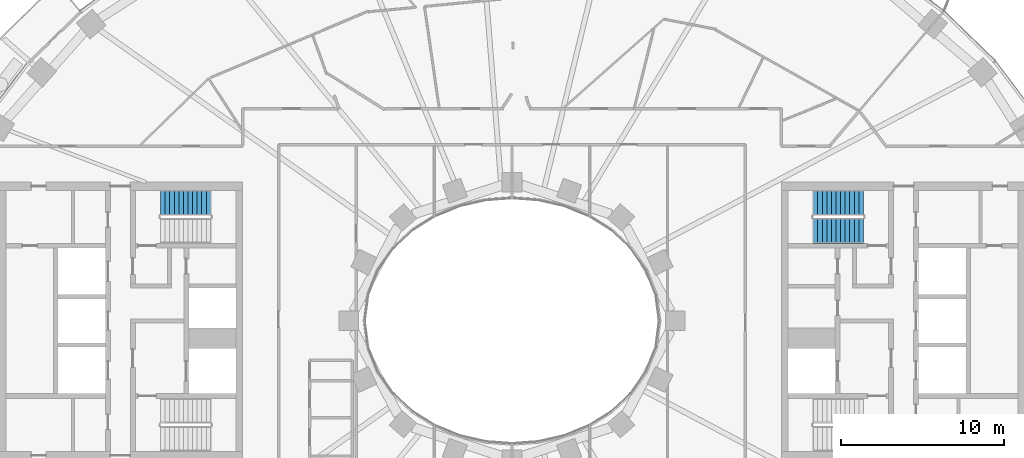
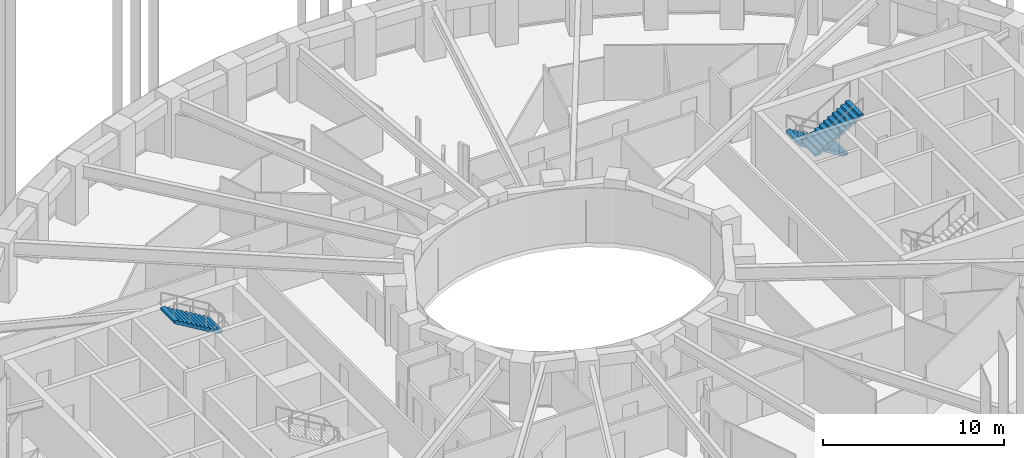
# One storey, part 8 of 20: 3 stair flights, 2 elements without a shape of their own.
"""IFC4 building model written with IfcOpenShell, lengths in metres."""

from ifc_helpers import new_model, si_unit, direction, frame, origin, place, context, subcontext, project, spatial, polyline, outline, extrude, material, type_object, element, aggregate, save


model = new_model("IFC4")

# Units and contexts
model_context = context("Model", 3, precision=1e-05, world=origin(), true_north=direction((0.0, 1.0)))
body_context = subcontext(model_context, "Body", "Model", "MODEL_VIEW")
ifc_project = project(units=[si_unit("LENGTHUNIT", "METRE"), si_unit("AREAUNIT", "SQUARE_METRE"), si_unit("VOLUMEUNIT", "CUBIC_METRE"), si_unit("PLANEANGLEUNIT", "RADIAN"), si_unit("MASSUNIT", "GRAM", prefix="KILO")], contexts=[model_context])

# Site, building, storey
site_placement = place(None, origin())
site = spatial("IfcSite", under=ifc_project, at=site_placement, CompositionType="ELEMENT")
building_placement = place(site_placement, origin())
building = spatial("IfcBuilding", under=site, at=building_placement, Name="Noorbagh Ring Tower", CompositionType="ELEMENT")
storey_placement = place(building_placement, frame((0.0, 0.0, 88.0)))
storey = spatial("IfcBuildingStorey", under=building, at=storey_placement, Name="L19", CompositionType="ELEMENT", Elevation=88.0)

# Stair, stair flight
ifc_material_1 = material(Name="Concrete C40/50", Category="concrete")
stair_type = type_object("IfcStairType", Name="CORE-STAIR", PredefinedType="HALF_TURN_STAIR", material=ifc_material_1)
stair_1_placement = place(storey_placement, origin())
stair_1 = element("IfcStair", 1, at=stair_1_placement, inside=storey, type_object=stair_type, Name="L19 Exit stair ST1", PredefinedType="HALF_TURN_STAIR")
ifc_material_2 = material(Name="Concrete C40/50", Category="concrete")
stair_flight_type = type_object("IfcStairFlightType", Name="CORE-STAIR-FLIGHT", PredefinedType="STRAIGHT", material=ifc_material_2)
stair_flight_1_placement = place(storey_placement, frame((-18.449951171875, 7.22509765625, 2.0), z_axis=(0.0, 0.0, 1.0), x_axis=(-1.0, 0.0, 0.0)))
stair_flight_1 = element("IfcStairFlight", 2, at=stair_flight_1_placement, type_object=stair_flight_type, Name="ST1 flight 2", NumberOfRisers=12, NumberOfTreads=11, PredefinedType="STRAIGHT", RiserHeight=0.166666667, TreadLength=0.28, context=body_context, shape_type="SweptSolid", body=[
    extrude(outline(polyline([(0.0, 0.0), (0.0, 0.166748046875), (0.280029296875, 0.166748046875), (0.280029296875, 0.333251953125), (0.56005859375, 0.333251953125), (0.56005859375, 0.5), (0.840087890625, 0.5), (0.840087890625, 0.666748046875), (1.1201171875, 0.666748046875), (1.1201171875, 0.833251953125), (1.39990234375, 0.833251953125), (1.39990234375, 1.0), (1.679931640625, 1.0), (1.679931640625, 1.166748046875), (1.9599609375, 1.166748046875), (1.9599609375, 1.333251953125), (2.239990234375, 1.333251953125), (2.239990234375, 1.5), (2.52001953125, 1.5), (2.52001953125, 1.666748046875), (2.800048828125, 1.666748046875), (2.800048828125, 1.833251953125), (3.080078125, 1.833251953125), (3.080078125, 2.0), (3.080078125, 1.658935546875), (0.29296875, 0.0), (0.0, 0.0)])), frame((0.0, 0.77490234375, 0.0), z_axis=(0.0, -1.0, 0.0), x_axis=(1.0, 0.0, 0.0)), (0.0, 0.0, 1.0), 1.550048828125),
])
aggregate(stair_1, [stair_flight_1])

# Stair, stair flights
stair_2_placement = place(storey_placement, origin())
stair_2 = element("IfcStair", 3, at=stair_2_placement, inside=storey, type_object=stair_type, Name="L19 Exit stair ST3", PredefinedType="HALF_TURN_STAIR")
stair_flight_2_placement = place(storey_placement, frame((21.530029296875, 7.22509765625, 0.0), z_axis=(0.0, 0.0, 1.0), x_axis=(-1.0, 0.0, 0.0)))
stair_flight_2 = element("IfcStairFlight", 4, at=stair_flight_2_placement, type_object=stair_flight_type, Name="ST3 flight 1", NumberOfRisers=12, NumberOfTreads=11, PredefinedType="STRAIGHT", RiserHeight=0.166666667, TreadLength=0.28, context=body_context, shape_type="SweptSolid", body=[
    extrude(outline(polyline([(0.0, 0.0), (0.0, 0.166748046875), (0.280029296875, 0.166748046875), (0.280029296875, 0.333251953125), (0.56005859375, 0.333251953125), (0.56005859375, 0.5), (0.840087890625, 0.5), (0.840087890625, 0.666748046875), (1.1201171875, 0.666748046875), (1.1201171875, 0.833251953125), (1.39990234375, 0.833251953125), (1.39990234375, 1.0), (1.679931640625, 1.0), (1.679931640625, 1.166748046875), (1.9599609375, 1.166748046875), (1.9599609375, 1.333251953125), (2.239990234375, 1.333251953125), (2.239990234375, 1.5), (2.52001953125, 1.5), (2.52001953125, 1.666748046875), (2.800048828125, 1.666748046875), (2.800048828125, 1.833251953125), (3.080078125, 1.833251953125), (3.080078125, 2.0), (3.080078125, 1.658935546875), (0.29296875, 0.0), (0.0, 0.0)])), frame((0.0, 0.77490234375, 0.0), z_axis=(0.0, -1.0, 0.0), x_axis=(1.0, 0.0, 0.0)), (0.0, 0.0, 1.0), 1.550048828125),
])
stair_flight_3_placement = place(storey_placement, frame((18.449951171875, 5.52490234375, 2.0), z_axis=(0.0, 0.0, 1.0), x_axis=(1.0, 0.0, 0.0)))
stair_flight_3 = element("IfcStairFlight", 5, at=stair_flight_3_placement, type_object=stair_flight_type, Name="ST3 flight 2", NumberOfRisers=12, NumberOfTreads=11, PredefinedType="STRAIGHT", RiserHeight=0.166666667, TreadLength=0.28, context=body_context, shape_type="SweptSolid", body=[
    extrude(outline(polyline([(0.0, 0.0), (0.0, 0.166748046875), (0.280029296875, 0.166748046875), (0.280029296875, 0.333251953125), (0.56005859375, 0.333251953125), (0.56005859375, 0.5), (0.840087890625, 0.5), (0.840087890625, 0.666748046875), (1.1201171875, 0.666748046875), (1.1201171875, 0.833251953125), (1.39990234375, 0.833251953125), (1.39990234375, 1.0), (1.679931640625, 1.0), (1.679931640625, 1.166748046875), (1.9599609375, 1.166748046875), (1.9599609375, 1.333251953125), (2.239990234375, 1.333251953125), (2.239990234375, 1.5), (2.52001953125, 1.5), (2.52001953125, 1.666748046875), (2.800048828125, 1.666748046875), (2.800048828125, 1.833251953125), (3.080078125, 1.833251953125), (3.080078125, 2.0), (3.080078125, 1.658935546875), (0.29296875, 0.0), (0.0, 0.0)])), frame((0.0, 0.77490234375, 0.0), z_axis=(0.0, -1.0, 0.0), x_axis=(1.0, 0.0, 0.0)), (0.0, 0.0, 1.0), 1.550048828125),
])
aggregate(stair_2, [stair_flight_2, stair_flight_3])

save(model, "model.ifc")
